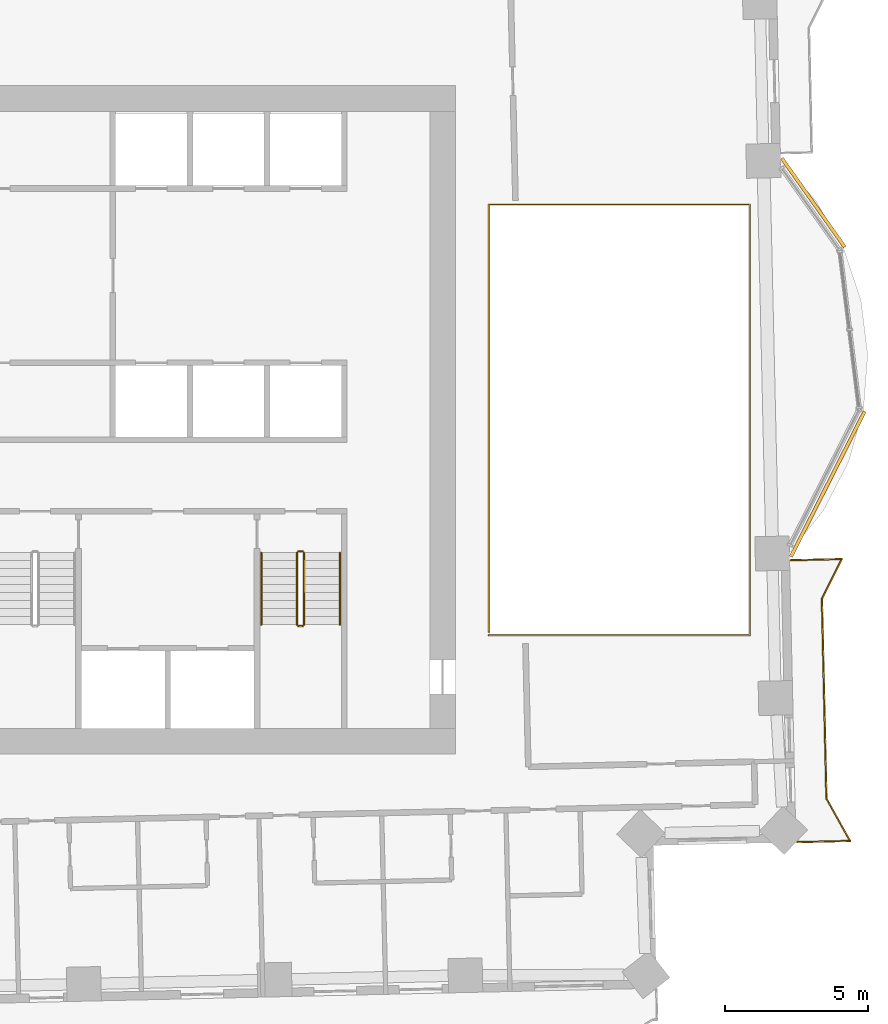
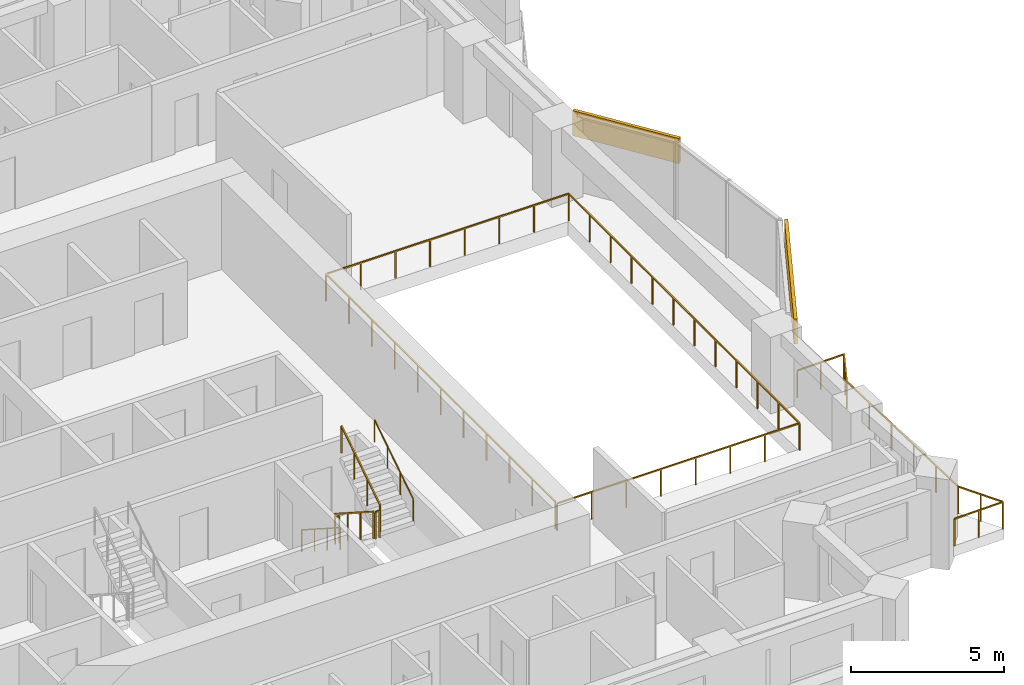
# One storey, part 13 of 14: 8 railings, 2 coverings.
"""IFC4 building model written with IfcOpenShell, lengths in metres."""

from ifc_helpers import new_model, si_unit, direction, frame, frame_2d, origin, origin_2d, place, context, subcontext, project, spatial, rectangle, circle, extrude, material, layer, layer_set, type_object, element, save


model = new_model("IFC4")

# Units and contexts
model_context = context("Model", 3, precision=1e-05, world=origin(), true_north=direction((0.0, 1.0)))
body_context = subcontext(model_context, "Body", "Model", "MODEL_VIEW")
ifc_project = project(units=[si_unit("LENGTHUNIT", "METRE"), si_unit("AREAUNIT", "SQUARE_METRE"), si_unit("VOLUMEUNIT", "CUBIC_METRE"), si_unit("PLANEANGLEUNIT", "RADIAN"), si_unit("MASSUNIT", "GRAM", prefix="KILO")], contexts=[model_context])

# Site, building, storey
site_placement = place(None, origin())
site = spatial("IfcSite", under=ifc_project, at=site_placement, CompositionType="ELEMENT")
building_placement = place(site_placement, origin())
building = spatial("IfcBuilding", under=site, at=building_placement, Name="Mangrove Gate Tower", CompositionType="ELEMENT")
storey_placement = place(building_placement, frame((0.0, 0.0, 182.5)))
storey = spatial("IfcBuildingStorey", under=building, at=storey_placement, Name="L46", CompositionType="ELEMENT", Elevation=182.5)

# Railings
ifc_material_1 = material(Name="Stainless steel grade 316 with laminated glass infill", Category="steel")
railing_type_1 = type_object("IfcRailingType", Name="Balcony guard 1100", PredefinedType="GUARDRAIL", material=ifc_material_1)
railing_1_placement = place(storey_placement, frame((26.658935546875, -14.785888671875, 0.0)))
element("IfcRailing", 1, at=railing_1_placement, inside=storey, type_object=railing_type_1, Name="GUARD L46 E1", PredefinedType="GUARDRAIL", context=body_context, shape_type="SweptSolid", body=[
    extrude(rectangle(XDim=0.048095703125, YDim=0.048095703125, at=origin_2d()), frame((0.0, 0.0, 1.076171875), z_axis=(0.999743329406, 0.02265558006, 0.0), x_axis=(-0.02265558006, 0.999743329406, 0.0)), (0.0, 0.0, 1.0), 1.853515625),
    extrude(rectangle(XDim=0.048095703125, YDim=0.048095703125, at=origin_2d()), frame((1.85302734375, 0.0419921875, 1.076171875), z_axis=(-0.487266667614, 0.873253224805, 0.0), x_axis=(-0.873253224805, -0.487266667614, 0.0)), (0.0, 0.0, 1.0), 1.697021484375),
    extrude(rectangle(XDim=0.048095703125, YDim=0.048095703125, at=origin_2d()), frame((1.026123046875, 1.52392578125, 1.076171875), z_axis=(-0.022740419861, 0.999741403216, 0.0), x_axis=(-0.999741403216, -0.022740419861, 0.0)), (0.0, 0.0, 1.0), 6.999755859375),
    extrude(rectangle(XDim=0.048095703125, YDim=0.048095703125, at=origin_2d()), frame((0.866943359375, 8.52197265625, 1.076171875), z_axis=(0.447025166118, 0.894521380883, 0.0), x_axis=(-0.894521380883, 0.447025166118, 0.0)), (0.0, 0.0, 1.0), 1.554931640625),
    extrude(rectangle(XDim=0.048095703125, YDim=0.048095703125, at=origin_2d()), frame((1.56201171875, 9.912841796875, 1.076171875), z_axis=(-0.999748773553, -0.02241405316, 0.0), x_axis=(0.02241405316, -0.999748773553, 0.0)), (0.0, 0.0, 1.0), 1.786376953125),
    extrude(rectangle(XDim=0.0419921875, YDim=0.0419921875, at=origin_2d()), origin(), (0.0, 0.0, 1.0), 1.052001953125),
    extrude(rectangle(XDim=0.0419921875, YDim=0.0419921875, at=origin_2d()), frame((0.926513671875, 0.02099609375, 0.0)), (0.0, 0.0, 1.0), 1.052001953125),
    extrude(rectangle(XDim=0.0419921875, YDim=0.0419921875, at=origin_2d()), frame((1.85302734375, 0.0419921875, 0.0)), (0.0, 0.0, 1.0), 1.052001953125),
    extrude(rectangle(XDim=0.0419921875, YDim=0.0419921875, at=origin_2d()), frame((1.439453125, 0.782958984375, 0.0)), (0.0, 0.0, 1.0), 1.052001953125),
    extrude(rectangle(XDim=0.0419921875, YDim=0.0419921875, at=origin_2d()), frame((1.026123046875, 1.52392578125, 0.0)), (0.0, 0.0, 1.0), 1.052001953125),
    extrude(rectangle(XDim=0.0419921875, YDim=0.0419921875, at=origin_2d()), frame((0.994384765625, 2.923583984375, 0.0)), (0.0, 0.0, 1.0), 1.052001953125),
    extrude(rectangle(XDim=0.0419921875, YDim=0.0419921875, at=origin_2d()), frame((0.96240234375, 4.3232421875, 0.0)), (0.0, 0.0, 1.0), 1.052001953125),
    extrude(rectangle(XDim=0.0419921875, YDim=0.0419921875, at=origin_2d()), frame((0.9306640625, 5.72265625, 0.0)), (0.0, 0.0, 1.0), 1.052001953125),
    extrude(rectangle(XDim=0.0419921875, YDim=0.0419921875, at=origin_2d()), frame((0.898681640625, 7.122314453125, 0.0)), (0.0, 0.0, 1.0), 1.052001953125),
    extrude(rectangle(XDim=0.0419921875, YDim=0.0419921875, at=origin_2d()), frame((0.866943359375, 8.52197265625, 0.0)), (0.0, 0.0, 1.0), 1.052001953125),
    extrude(rectangle(XDim=0.0419921875, YDim=0.0419921875, at=origin_2d()), frame((1.21435546875, 9.21728515625, 0.0)), (0.0, 0.0, 1.0), 1.052001953125),
    extrude(rectangle(XDim=0.0419921875, YDim=0.0419921875, at=origin_2d()), frame((1.56201171875, 9.912841796875, 0.0)), (0.0, 0.0, 1.0), 1.052001953125),
    extrude(rectangle(XDim=0.0419921875, YDim=0.0419921875, at=origin_2d()), frame((0.6689453125, 9.892822265625, 0.0)), (0.0, 0.0, 1.0), 1.052001953125),
    extrude(rectangle(XDim=0.0419921875, YDim=0.0419921875, at=origin_2d()), frame((-0.223876953125, 9.872802734375, 0.0)), (0.0, 0.0, 1.0), 1.052001953125),
])
railing_2_placement = place(storey_placement, frame((15.860107421875, -7.5400390625, 0.0)))
element("IfcRailing", 2, at=railing_2_placement, inside=storey, type_object=railing_type_1, Name="GUARD L46 atrium", PredefinedType="GUARDRAIL", context=body_context, shape_type="SweptSolid", body=[
    extrude(rectangle(XDim=0.048095703125, YDim=0.048095703125, at=origin_2d()), frame((0.0, 0.0, 1.076171875), z_axis=(1.0, 0.0, 0.0), x_axis=(0.0, 1.0, 0.0)), (0.0, 0.0, 1.0), 9.143798828125),
    extrude(rectangle(XDim=0.048095703125, YDim=0.048095703125, at=origin_2d()), frame((9.143798828125, 0.0, 1.076171875), z_axis=(0.0, 1.0, 0.0), x_axis=(-1.0, 0.0, 0.0)), (0.0, 0.0, 1.0), 15.080078125),
    extrude(rectangle(XDim=0.048095703125, YDim=0.048095703125, at=origin_2d()), frame((9.143798828125, 15.080078125, 1.076171875), z_axis=(-1.0, 0.0, 0.0), x_axis=(0.0, -1.0, 0.0)), (0.0, 0.0, 1.0), 9.143798828125),
    extrude(rectangle(XDim=0.048095703125, YDim=0.048095703125, at=origin_2d()), frame((0.0, 15.080078125, 1.076171875), z_axis=(0.0, -1.0, 0.0), x_axis=(1.0, 0.0, 0.0)), (0.0, 0.0, 1.0), 14.9599609375),
    extrude(rectangle(XDim=0.0419921875, YDim=0.0419921875, at=origin_2d()), origin(), (0.0, 0.0, 1.0), 1.052001953125),
    extrude(rectangle(XDim=0.0419921875, YDim=0.0419921875, at=origin_2d()), frame((1.30615234375, 0.0, 0.0)), (0.0, 0.0, 1.0), 1.052001953125),
    extrude(rectangle(XDim=0.0419921875, YDim=0.0419921875, at=origin_2d()), frame((2.612548828125, 0.0, 0.0)), (0.0, 0.0, 1.0), 1.052001953125),
    extrude(rectangle(XDim=0.0419921875, YDim=0.0419921875, at=origin_2d()), frame((3.918701171875, 0.0, 0.0)), (0.0, 0.0, 1.0), 1.052001953125),
    extrude(rectangle(XDim=0.0419921875, YDim=0.0419921875, at=origin_2d()), frame((5.22509765625, 0.0, 0.0)), (0.0, 0.0, 1.0), 1.052001953125),
    extrude(rectangle(XDim=0.0419921875, YDim=0.0419921875, at=origin_2d()), frame((6.53125, 0.0, 0.0)), (0.0, 0.0, 1.0), 1.052001953125),
    extrude(rectangle(XDim=0.0419921875, YDim=0.0419921875, at=origin_2d()), frame((7.837646484375, 0.0, 0.0)), (0.0, 0.0, 1.0), 1.052001953125),
    extrude(rectangle(XDim=0.0419921875, YDim=0.0419921875, at=origin_2d()), frame((9.143798828125, 0.0, 0.0)), (0.0, 0.0, 1.0), 1.052001953125),
    extrude(rectangle(XDim=0.0419921875, YDim=0.0419921875, at=origin_2d()), frame((9.143798828125, 1.370849609375, 0.0)), (0.0, 0.0, 1.0), 1.052001953125),
    extrude(rectangle(XDim=0.0419921875, YDim=0.0419921875, at=origin_2d()), frame((9.143798828125, 2.741943359375, 0.0)), (0.0, 0.0, 1.0), 1.052001953125),
    extrude(rectangle(XDim=0.0419921875, YDim=0.0419921875, at=origin_2d()), frame((9.143798828125, 4.11279296875, 0.0)), (0.0, 0.0, 1.0), 1.052001953125),
    extrude(rectangle(XDim=0.0419921875, YDim=0.0419921875, at=origin_2d()), frame((9.143798828125, 5.483642578125, 0.0)), (0.0, 0.0, 1.0), 1.052001953125),
    extrude(rectangle(XDim=0.0419921875, YDim=0.0419921875, at=origin_2d()), frame((9.143798828125, 6.8544921875, 0.0)), (0.0, 0.0, 1.0), 1.052001953125),
    extrude(rectangle(XDim=0.0419921875, YDim=0.0419921875, at=origin_2d()), frame((9.143798828125, 8.2255859375, 0.0)), (0.0, 0.0, 1.0), 1.052001953125),
    extrude(rectangle(XDim=0.0419921875, YDim=0.0419921875, at=origin_2d()), frame((9.143798828125, 9.596435546875, 0.0)), (0.0, 0.0, 1.0), 1.052001953125),
    extrude(rectangle(XDim=0.0419921875, YDim=0.0419921875, at=origin_2d()), frame((9.143798828125, 10.96728515625, 0.0)), (0.0, 0.0, 1.0), 1.052001953125),
    extrude(rectangle(XDim=0.0419921875, YDim=0.0419921875, at=origin_2d()), frame((9.143798828125, 12.338134765625, 0.0)), (0.0, 0.0, 1.0), 1.052001953125),
    extrude(rectangle(XDim=0.0419921875, YDim=0.0419921875, at=origin_2d()), frame((9.143798828125, 13.709228515625, 0.0)), (0.0, 0.0, 1.0), 1.052001953125),
    extrude(rectangle(XDim=0.0419921875, YDim=0.0419921875, at=origin_2d()), frame((9.143798828125, 15.080078125, 0.0)), (0.0, 0.0, 1.0), 1.052001953125),
    extrude(rectangle(XDim=0.0419921875, YDim=0.0419921875, at=origin_2d()), frame((7.837646484375, 15.080078125, 0.0)), (0.0, 0.0, 1.0), 1.052001953125),
    extrude(rectangle(XDim=0.0419921875, YDim=0.0419921875, at=origin_2d()), frame((6.53125, 15.080078125, 0.0)), (0.0, 0.0, 1.0), 1.052001953125),
    extrude(rectangle(XDim=0.0419921875, YDim=0.0419921875, at=origin_2d()), frame((5.22509765625, 15.080078125, 0.0)), (0.0, 0.0, 1.0), 1.052001953125),
    extrude(rectangle(XDim=0.0419921875, YDim=0.0419921875, at=origin_2d()), frame((3.918701171875, 15.080078125, 0.0)), (0.0, 0.0, 1.0), 1.052001953125),
    extrude(rectangle(XDim=0.0419921875, YDim=0.0419921875, at=origin_2d()), frame((2.612548828125, 15.080078125, 0.0)), (0.0, 0.0, 1.0), 1.052001953125),
    extrude(rectangle(XDim=0.0419921875, YDim=0.0419921875, at=origin_2d()), frame((1.30615234375, 15.080078125, 0.0)), (0.0, 0.0, 1.0), 1.052001953125),
    extrude(rectangle(XDim=0.0419921875, YDim=0.0419921875, at=origin_2d()), frame((0.0, 15.080078125, 0.0)), (0.0, 0.0, 1.0), 1.052001953125),
    extrude(rectangle(XDim=0.0419921875, YDim=0.0419921875, at=origin_2d()), frame((0.0, 13.583984375, 0.0)), (0.0, 0.0, 1.0), 1.052001953125),
    extrude(rectangle(XDim=0.0419921875, YDim=0.0419921875, at=origin_2d()), frame((0.0, 12.088134765625, 0.0)), (0.0, 0.0, 1.0), 1.052001953125),
    extrude(rectangle(XDim=0.0419921875, YDim=0.0419921875, at=origin_2d()), frame((0.0, 10.592041015625, 0.0)), (0.0, 0.0, 1.0), 1.052001953125),
    extrude(rectangle(XDim=0.0419921875, YDim=0.0419921875, at=origin_2d()), frame((0.0, 9.09619140625, 0.0)), (0.0, 0.0, 1.0), 1.052001953125),
    extrude(rectangle(XDim=0.0419921875, YDim=0.0419921875, at=origin_2d()), frame((0.0, 7.60009765625, 0.0)), (0.0, 0.0, 1.0), 1.052001953125),
    extrude(rectangle(XDim=0.0419921875, YDim=0.0419921875, at=origin_2d()), frame((0.0, 6.10400390625, 0.0)), (0.0, 0.0, 1.0), 1.052001953125),
    extrude(rectangle(XDim=0.0419921875, YDim=0.0419921875, at=origin_2d()), frame((0.0, 4.608154296875, 0.0)), (0.0, 0.0, 1.0), 1.052001953125),
    extrude(rectangle(XDim=0.0419921875, YDim=0.0419921875, at=origin_2d()), frame((0.0, 3.112060546875, 0.0)), (0.0, 0.0, 1.0), 1.052001953125),
    extrude(rectangle(XDim=0.0419921875, YDim=0.0419921875, at=origin_2d()), frame((0.0, 1.6162109375, 0.0)), (0.0, 0.0, 1.0), 1.052001953125),
    extrude(rectangle(XDim=0.0419921875, YDim=0.0419921875, at=origin_2d()), frame((0.0, 0.1201171875, 0.0)), (0.0, 0.0, 1.0), 1.052001953125),
])
ifc_material_2 = material(Name="Stainless steel 316", Category="steel")
railing_type_2 = type_object("IfcRailingType", Name="Core stair guard 1100", PredefinedType="GUARDRAIL", material=ifc_material_2)
railing_3_placement = place(storey_placement, frame((9.14990234375, -4.64990234375, 0.179931640625)))
element("IfcRailing", 3, at=railing_3_placement, inside=storey, type_object=railing_type_2, Name="L46 ST3 stair guard 1", PredefinedType="GUARDRAIL", context=body_context, shape_type="SweptSolid", body=[
    extrude(rectangle(XDim=0.048095703125, YDim=0.048095703125, at=origin_2d()), frame((0.0, 0.0, 1.076171875), z_axis=(0.0, -0.841162588446, 0.540782303519), x_axis=(1.0, 0.0, 0.0)), (0.0, 0.0, 1.0), 2.995849609375),
    extrude(rectangle(XDim=0.0419921875, YDim=0.0419921875, at=origin_2d()), origin(), (0.0, 0.0, 1.0), 1.052001953125),
    extrude(rectangle(XDim=0.0419921875, YDim=0.0419921875, at=origin_2d()), frame((0.0, -0.840087890625, 0.5400390625)), (0.0, 0.0, 1.0), 1.052001953125),
    extrude(rectangle(XDim=0.0419921875, YDim=0.0419921875, at=origin_2d()), frame((0.0, -1.679931640625, 1.080078125)), (0.0, 0.0, 1.0), 1.052001953125),
    extrude(rectangle(XDim=0.0419921875, YDim=0.0419921875, at=origin_2d()), frame((0.0, -2.52001953125, 1.6201171875)), (0.0, 0.0, 1.0), 1.052001953125),
])
railing_4_placement = place(storey_placement, frame((9.199951171875, -7.219970703125, 1.800048828125)))
element("IfcRailing", 4, at=railing_4_placement, inside=storey, type_object=railing_type_2, Name="L46 ST3 stair guard 2", PredefinedType="GUARDRAIL", context=body_context, shape_type="SweptSolid", body=[
    extrude(rectangle(XDim=0.048095703125, YDim=0.048095703125, at=origin_2d()), frame((0.0, 0.0, 1.076171875), z_axis=(1.0, 0.0, 0.0), x_axis=(0.0, 1.0, 0.0)), (0.0, 0.0, 1.0), 0.150146484375),
    extrude(rectangle(XDim=0.0419921875, YDim=0.0419921875, at=origin_2d()), origin(), (0.0, 0.0, 1.0), 1.052001953125),
    extrude(rectangle(XDim=0.0419921875, YDim=0.0419921875, at=origin_2d()), frame((0.150146484375, 0.0, 0.0)), (0.0, 0.0, 1.0), 1.052001953125),
])
railing_5_placement = place(storey_placement, frame((9.39990234375, -7.169921875, 1.97998046875)))
element("IfcRailing", 5, at=railing_5_placement, inside=storey, type_object=railing_type_2, Name="L46 ST3 stair guard 3", PredefinedType="GUARDRAIL", context=body_context, shape_type="SweptSolid", body=[
    extrude(rectangle(XDim=0.048095703125, YDim=0.048095703125, at=origin_2d()), frame((0.0, 0.0, 1.076171875), z_axis=(0.0, 0.841162588446, 0.540782303519), x_axis=(-1.0, 0.0, 0.0)), (0.0, 0.0, 1.0), 2.995849609375),
    extrude(rectangle(XDim=0.0419921875, YDim=0.0419921875, at=origin_2d()), origin(), (0.0, 0.0, 1.0), 1.052001953125),
    extrude(rectangle(XDim=0.0419921875, YDim=0.0419921875, at=origin_2d()), frame((0.0, 0.840087890625, 0.5400390625)), (0.0, 0.0, 1.0), 1.052001953125),
    extrude(rectangle(XDim=0.0419921875, YDim=0.0419921875, at=origin_2d()), frame((0.0, 1.679931640625, 1.080078125)), (0.0, 0.0, 1.0), 1.052001953125),
    extrude(rectangle(XDim=0.0419921875, YDim=0.0419921875, at=origin_2d()), frame((0.0, 2.52001953125, 1.6201171875)), (0.0, 0.0, 1.0), 1.052001953125),
])
railing_6_placement = place(storey_placement, frame((9.199951171875, -4.60009765625, 0.0)))
element("IfcRailing", 6, at=railing_6_placement, inside=storey, type_object=railing_type_2, Name="L46 ST3 stair guard 4", PredefinedType="GUARDRAIL", context=body_context, shape_type="SweptSolid", body=[
    extrude(rectangle(XDim=0.048095703125, YDim=0.048095703125, at=origin_2d()), frame((0.0, 0.0, 1.076171875), z_axis=(1.0, 0.0, 0.0), x_axis=(0.0, 1.0, 0.0)), (0.0, 0.0, 1.0), 0.150146484375),
    extrude(rectangle(XDim=0.0419921875, YDim=0.0419921875, at=origin_2d()), origin(), (0.0, 0.0, 1.0), 1.052001953125),
    extrude(rectangle(XDim=0.0419921875, YDim=0.0419921875, at=origin_2d()), frame((0.150146484375, 0.0, 0.0)), (0.0, 0.0, 1.0), 1.052001953125),
])
ifc_material_3 = material(Name="Stainless steel 316", Category="steel")
railing_type_3 = type_object("IfcRailingType", Name="Core stair handrail 900", PredefinedType="HANDRAIL", material=ifc_material_3)
railing_7_placement = place(storey_placement, frame((7.89990234375, -4.64990234375, 0.179931640625)))
element("IfcRailing", 7, at=railing_7_placement, inside=storey, type_object=railing_type_3, Name="L46 ST3 stair handrail 1", PredefinedType="HANDRAIL", context=body_context, shape_type="SweptSolid", body=[
    extrude(circle(Radius=0.02392578125, at=origin_2d()), frame((0.0, 0.0, 0.8759765625), z_axis=(0.0, -0.841162588446, 0.540782303519), x_axis=(1.0, 0.0, 0.0)), (0.0, 0.0, 1.0), 2.995849609375),
    extrude(circle(Radius=0.02099609375, at=origin_2d()), origin(), (0.0, 0.0, 1.0), 0.851806640625),
    extrude(circle(Radius=0.02099609375, at=origin_2d()), frame((0.0, -0.840087890625, 0.5400390625)), (0.0, 0.0, 1.0), 0.851806640625),
    extrude(circle(Radius=0.02099609375, at=origin_2d()), frame((0.0, -1.679931640625, 1.080078125)), (0.0, 0.0, 1.0), 0.851806640625),
    extrude(circle(Radius=0.02099609375, at=origin_2d()), frame((0.0, -2.52001953125, 1.6201171875)), (0.0, 0.0, 1.0), 0.851806640625),
])
railing_8_placement = place(storey_placement, frame((10.64990234375, -7.169921875, 1.97998046875)))
element("IfcRailing", 8, at=railing_8_placement, inside=storey, type_object=railing_type_3, Name="L46 ST3 stair handrail 2", PredefinedType="HANDRAIL", context=body_context, shape_type="SweptSolid", body=[
    extrude(circle(Radius=0.02392578125, at=origin_2d()), frame((0.0, 0.0, 0.8759765625), z_axis=(0.0, 0.841162588446, 0.540782303519), x_axis=(-1.0, 0.0, 0.0)), (0.0, 0.0, 1.0), 2.995849609375),
    extrude(circle(Radius=0.02099609375, at=origin_2d()), origin(), (0.0, 0.0, 1.0), 0.851806640625),
    extrude(circle(Radius=0.02099609375, at=origin_2d()), frame((0.0, 0.840087890625, 0.5400390625)), (0.0, 0.0, 1.0), 0.851806640625),
    extrude(circle(Radius=0.02099609375, at=origin_2d()), frame((0.0, 1.679931640625, 1.080078125)), (0.0, 0.0, 1.0), 0.851806640625),
    extrude(circle(Radius=0.02099609375, at=origin_2d()), frame((0.0, 2.52001953125, 1.6201171875)), (0.0, 0.0, 1.0), 0.851806640625),
])

# Coverings
ifc_material_4 = material(Name="Limestone", Category="masonry")
ifc_layer_1 = layer(ifc_material_4, 0.0400390625, Name="Limestone cladding")
ifc_material_5 = material(Name="Stainless steel anchors and cavity", Category="steel")
ifc_layer_2 = layer(ifc_material_5, 0.080078125, Name="Fixing cavity")
ifc_layer_set = layer_set([ifc_layer_1, ifc_layer_2], Name="Joint fascia cladding 120")
covering_type = type_object("IfcCoveringType", Name="Joint fascia cladding 120", PredefinedType="CLADDING", material=ifc_layer_set)
covering_1_placement = place(storey_placement, frame((26.4423828125, -4.788330078125, 2.050048828125), z_axis=(0.0, 0.0, 1.0), x_axis=(0.452512280568, 0.891758171219, 0.0)))
element("IfcCovering", 9, at=covering_1_placement, inside=storey, type_object=covering_type, Name="STONE FASCIA L46 E1.L1", PredefinedType="CLADDING", context=body_context, shape_type="SweptSolid", body=[
    extrude(rectangle(XDim=5.704833984375, YDim=0.1201171875, at=frame_2d((2.8525390625, 0.0))), origin(), (0.0, 0.0, 1.0), 1.0),
])
covering_2_placement = place(storey_placement, frame((28.327880859375, 6.047119140625, 2.050048828125), z_axis=(0.0, 0.0, 1.0), x_axis=(-0.578125537526, 0.815947830968, 0.0)))
element("IfcCovering", 10, at=covering_2_placement, inside=storey, type_object=covering_type, Name="STONE FASCIA L46 E1.L2", PredefinedType="CLADDING", context=body_context, shape_type="SweptSolid", body=[
    extrude(rectangle(XDim=3.81884765625, YDim=0.1201171875, at=frame_2d((1.909423828125, 0.0))), origin(), (0.0, 0.0, 1.0), 1.0),
])

save(model, "model.ifc")
